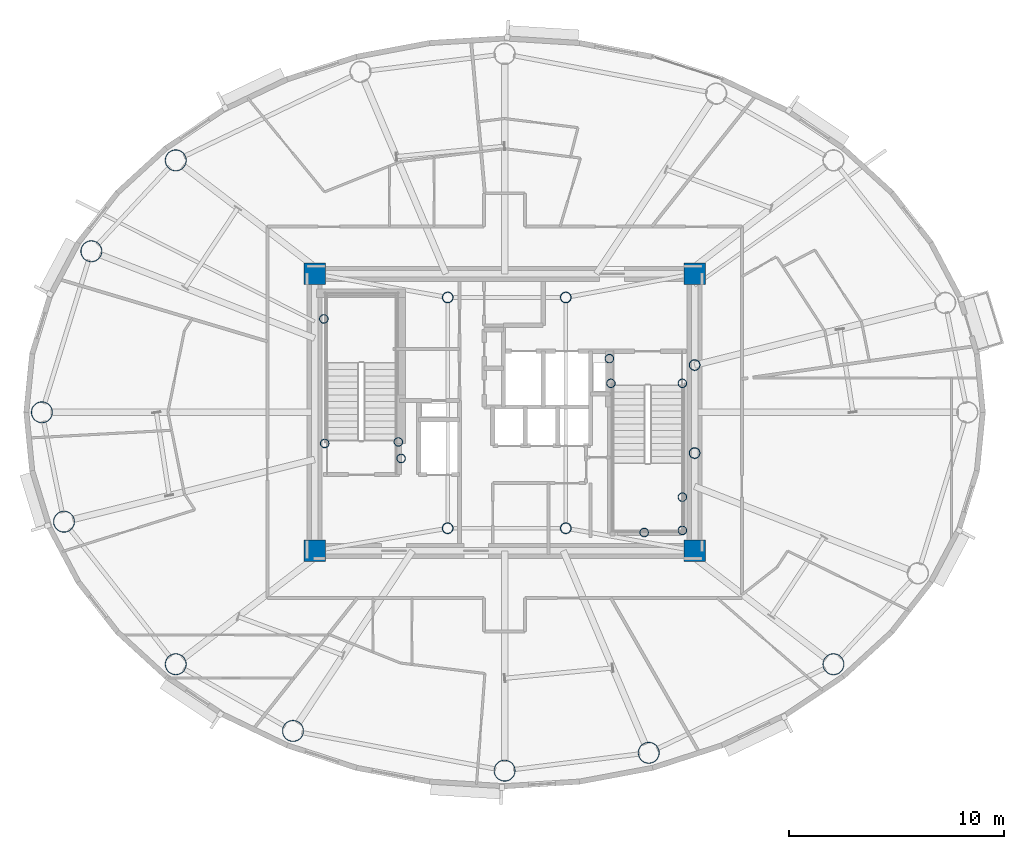
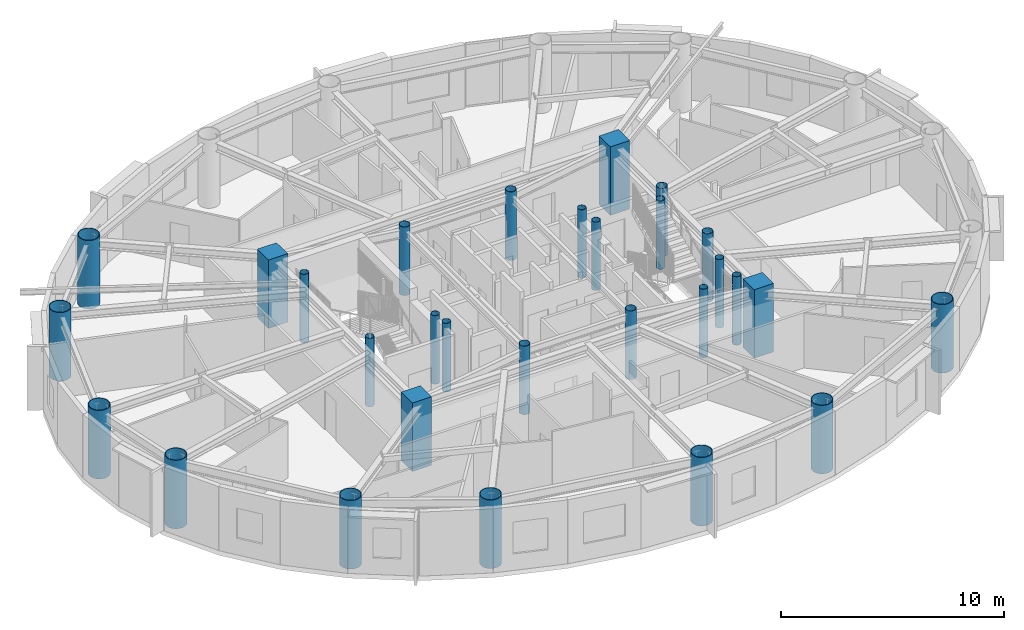
# One storey, part 1 of 18: 29 columns.
"""IFC4 building model written with IfcOpenShell, lengths in metres."""

from ifc_helpers import new_model, si_unit, direction, frame, origin, origin_2d, place, context, subcontext, project, spatial, rectangle, hollow_circle, extrude, material, material_profile, profile_set, type_object, element, save


model = new_model("IFC4")

# Units and contexts
model_context = context("Model", 3, precision=1e-05, world=origin(), true_north=direction((0.0, 1.0)))
body_context = subcontext(model_context, "Body", "Model", "MODEL_VIEW")
ifc_project = project(units=[si_unit("LENGTHUNIT", "METRE"), si_unit("AREAUNIT", "SQUARE_METRE"), si_unit("VOLUMEUNIT", "CUBIC_METRE"), si_unit("PLANEANGLEUNIT", "RADIAN"), si_unit("MASSUNIT", "GRAM", prefix="KILO")], contexts=[model_context])

# Site, building, storey
site_placement = place(None, origin())
site = spatial("IfcSite", under=ifc_project, at=site_placement, CompositionType="ELEMENT")
building_placement = place(site_placement, origin())
building = spatial("IfcBuilding", under=site, at=building_placement, Name="Linh Dai School and Residence Tower", CompositionType="ELEMENT")
storey_placement = place(building_placement, frame((0.0, 0.0, 273.0)))
storey = spatial("IfcBuildingStorey", under=building, at=storey_placement, Name="L67", CompositionType="ELEMENT", Elevation=273.0)

# Columns
ifc_material_1 = material(Name="Concrete B45 (C35/45)", Category="concrete")
ifc_material_profile_1 = material_profile(ifc_material_1, rectangle(XDim=1.0, YDim=1.0, at=origin_2d()), Name="RC 1000x1000")
ifc_profile_set_1 = profile_set([ifc_material_profile_1], Name="Concrete B45 (C35/45)")
column_type_1 = type_object("IfcColumnType", Name="COL-CC3", PredefinedType="COLUMN", material=ifc_profile_set_1)
for number, where, z_axis, x_axis, name in (
    (1, (27.14990234375, 20.550048828125, 0.0), (0.0, 0.0, 1.0), (1.0, 0.0, 0.0), "L67 Core Corner Pier CC1"),
    (2, (44.85009765625, 20.550048828125, 0.0), (0.0, 0.0, 1.0), (1.0, 0.0, 0.0), "L67 Core Corner Pier CC2"),
    (3, (44.85009765625, 33.449951171875, 0.0), (0.0, 0.0, 1.0), (1.0, 0.0, 0.0), "L67 Core Corner Pier CC3"),
    (4, (27.14990234375, 33.449951171875, 0.0), (0.0, 0.0, 1.0), (1.0, 0.0, 0.0), "L67 Core Corner Pier CC4"),
):
    element("IfcColumn", number, at=place(storey_placement, frame(where, z_axis=z_axis, x_axis=x_axis)), inside=storey, type_object=column_type_1, Name=name, PredefinedType="COLUMN", context=body_context, shape_type="SweptSolid", body=[
        extrude(rectangle(XDim=1.0, YDim=1.0, at=origin_2d()), origin(), (0.0, 0.0, 1.0), 3.75),
    ])
ifc_material_2 = material(Name="Structural Steel S355JR", Category="steel")
ifc_material_profile_2 = material_profile(ifc_material_2, hollow_circle(Radius=0.203125, WallThickness=0.01611328125, at=origin_2d()), Name="CHS 406.4x16")
ifc_profile_set_2 = profile_set([ifc_material_profile_2], Name="Structural Steel S355JR")
column_type_2 = type_object("IfcColumnType", Name="COL-EC", PredefinedType="COLUMN", material=ifc_profile_set_2)
for number, where, z_axis, x_axis, name in (
    (5, (27.580078125, 31.35009765625, 0.0), (0.0, 0.0, 1.0), (1.0, 0.0, 0.0), "L67 Stair Shaft Landing Support Pier ST1NW"),
    (6, (31.050048828125, 25.6201171875, 0.0), (0.0, 0.0, 1.0), (1.0, 0.0, 0.0), "L67 Stair Shaft Landing Support Pier ST1SE"),
    (7, (31.179931640625, 24.85009765625, 0.0), (0.0, 0.0, 1.0), (1.0, 0.0, 0.0), "L67 Stair Shaft Landing Support Pier ST1SM"),
    (8, (27.6201171875, 25.550048828125, 0.0), (0.0, 0.0, 1.0), (1.0, 0.0, 0.0), "L67 Stair Shaft Landing Support Pier ST1SW"),
    (9, (44.280029296875, 21.5, 0.0), (0.0, 0.0, 1.0), (1.0, 0.0, 0.0), "L67 Stair Shaft Landing Support Pier ST2SE"),
    (10, (44.280029296875, 23.050048828125, 0.0), (0.0, 0.0, 1.0), (1.0, 0.0, 0.0), "L67 Stair Shaft Landing Support Pier ST2NE"),
    (11, (42.5, 21.39990234375, 0.0), (0.0, 0.0, 1.0), (1.0, 0.0, 0.0), "L67 Stair Shaft Landing Support Pier ST2MS"),
    (12, (40.949951171875, 28.35009765625, 0.0), (0.0, 0.0, 1.0), (1.0, 0.0, 0.0), "L67 Stair Shaft Landing Support Pier ST2N1"),
    (13, (44.280029296875, 28.35009765625, 0.0), (0.0, 0.0, 1.0), (1.0, 0.0, 0.0), "L67 Stair Shaft Landing Support Pier ST2N2"),
    (14, (40.8798828125, 29.5, 0.0), (0.0, 0.0, 1.0), (1.0, 0.0, 0.0), "L67 Stair Shaft Landing Support Pier ST2N3"),
):
    element("IfcColumn", number, at=place(storey_placement, frame(where, z_axis=z_axis, x_axis=x_axis)), inside=storey, type_object=column_type_2, Name=name, PredefinedType="COLUMN", context=body_context, shape_type="SweptSolid", body=[
        extrude(hollow_circle(Radius=0.203125, WallThickness=0.01611328125, at=origin_2d()), origin(), (0.0, 0.0, 1.0), 3.75),
    ])
ifc_material_profile_3 = material_profile(ifc_material_2, hollow_circle(Radius=0.5, WallThickness=0.031982421875, at=origin_2d()), Name="CHS 1000x32")
ifc_profile_set_3 = profile_set([ifc_material_profile_3], Name="Structural Steel S355JR")
column_type_3 = type_object("IfcColumnType", Name="COL-MC6", PredefinedType="COLUMN", material=ifc_profile_set_3)
for number, where, z_axis, x_axis, name in (
    (15, (20.684814453125, 38.7333984375, 0.0), (0.0, 0.0, 1.0), (1.0, 0.0, 0.0), "L67 Perimeter CFT Mega-Column MC07"),
    (16, (16.75390625, 34.49951171875, 0.0), (0.0, 0.0, 1.0), (1.0, 0.0, 0.0), "L67 Perimeter CFT Mega-Column MC08"),
    (17, (14.449951171875, 27.0, 0.0), (0.0, 0.0, 1.0), (1.0, 0.0, 0.0), "L67 Perimeter CFT Mega-Column MC09"),
    (18, (15.4814453125, 21.905517578125, 0.0), (0.0, 0.0, 1.0), (1.0, 0.0, 0.0), "L67 Perimeter CFT Mega-Column MC10"),
    (19, (20.684814453125, 15.2666015625, 0.0), (0.0, 0.0, 1.0), (1.0, 0.0, 0.0), "L67 Perimeter CFT Mega-Column MC11"),
    (20, (26.1455078125, 12.1611328125, 0.0), (0.0, 0.0, 1.0), (1.0, 0.0, 0.0), "L67 Perimeter CFT Mega-Column MC12"),
    (21, (36.0, 10.31005859375, 0.0), (0.0, 0.0, 1.0), (1.0, 0.0, 0.0), "L67 Perimeter CFT Mega-Column MC13"),
    (22, (42.71240234375, 11.142333984375, 0.0), (0.0, 0.0, 1.0), (1.0, 0.0, 0.0), "L67 Perimeter CFT Mega-Column MC14"),
    (23, (51.315185546875, 15.2666015625, 0.0), (0.0, 0.0, 1.0), (1.0, 0.0, 0.0), "L67 Perimeter CFT Mega-Column MC15"),
):
    element("IfcColumn", number, at=place(storey_placement, frame(where, z_axis=z_axis, x_axis=x_axis)), inside=storey, type_object=column_type_3, Name=name, PredefinedType="COLUMN", context=body_context, shape_type="SweptSolid", body=[
        extrude(hollow_circle(Radius=0.5, WallThickness=0.031982421875, at=origin_2d()), origin(), (0.0, 0.0, 1.0), 3.75),
    ])
ifc_material_profile_4 = material_profile(ifc_material_2, hollow_circle(Radius=0.25390625, WallThickness=0.02001953125, at=origin_2d()), Name="CHS 508x20")
ifc_profile_set_4 = profile_set([ifc_material_profile_4], Name="Structural Steel S355JR")
column_type_4 = type_object("IfcColumnType", Name="COL-MCP", PredefinedType="COLUMN", material=ifc_profile_set_4)
for number, where, z_axis, x_axis, name in (
    (24, (33.35009765625, 21.60009765625, 0.0), (0.0, 0.0, 1.0), (1.0, 0.0, 0.0), "L67 Core Mast Support Pier MCP1"),
    (25, (38.85009765625, 21.60009765625, 0.0), (0.0, 0.0, 1.0), (1.0, 0.0, 0.0), "L67 Core Mast Support Pier MCP2"),
    (26, (38.85009765625, 32.35009765625, 0.0), (0.0, 0.0, 1.0), (1.0, 0.0, 0.0), "L67 Core Mast Support Pier MCP3"),
    (27, (33.35009765625, 32.35009765625, 0.0), (0.0, 0.0, 1.0), (1.0, 0.0, 0.0), "L67 Core Mast Support Pier MCP4"),
    (28, (44.85009765625, 25.10009765625, 0.0), (0.0, 0.0, 1.0), (1.0, 0.0, 0.0), "L67 Sky-Lounge Core Anchor Pier S"),
    (29, (44.85009765625, 29.199951171875, 0.0), (0.0, 0.0, 1.0), (1.0, 0.0, 0.0), "L67 Sky-Lounge Core Anchor Pier N"),
):
    element("IfcColumn", number, at=place(storey_placement, frame(where, z_axis=z_axis, x_axis=x_axis)), inside=storey, type_object=column_type_4, Name=name, PredefinedType="COLUMN", context=body_context, shape_type="SweptSolid", body=[
        extrude(hollow_circle(Radius=0.25390625, WallThickness=0.02001953125, at=origin_2d()), origin(), (0.0, 0.0, 1.0), 3.75),
    ])

save(model, "model.ifc")
